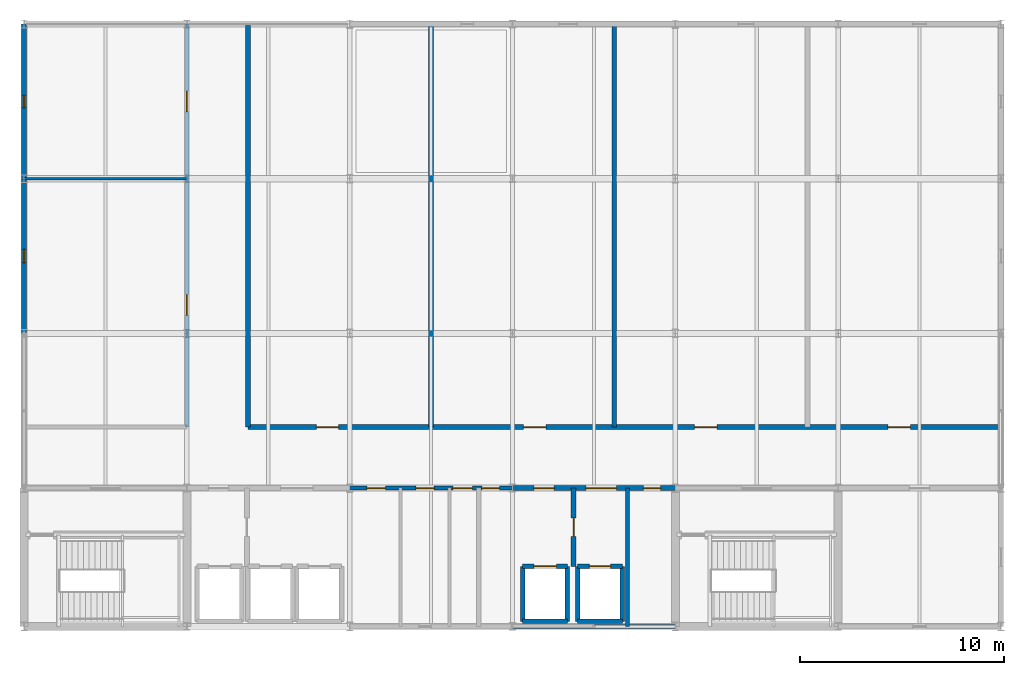
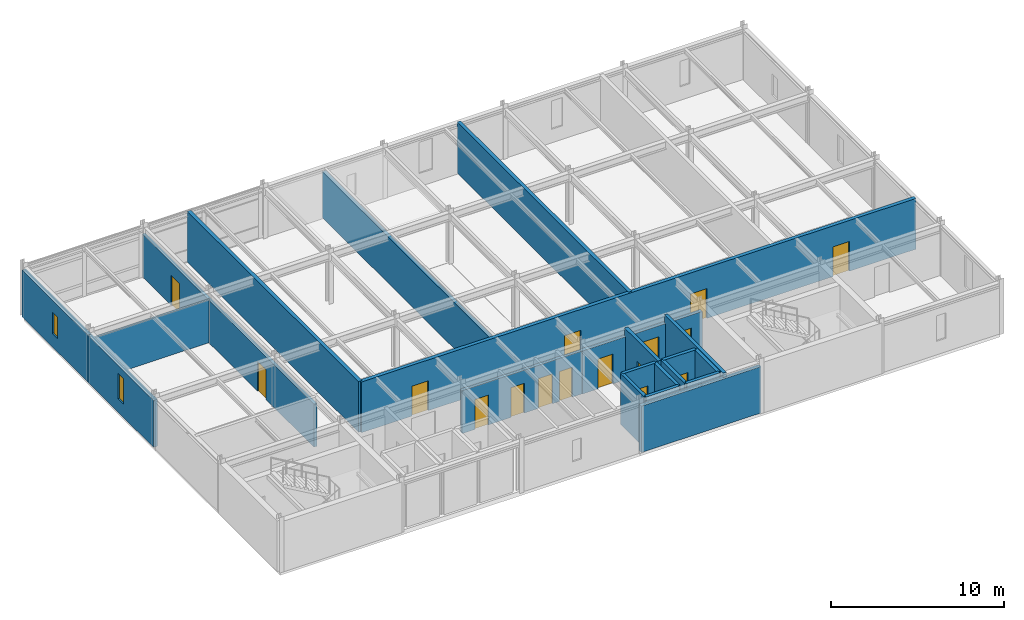
# One storey, part 7 of 9: 21 walls, 16 doors, 2 windows, 18 openings.
"""IFC4 building model written with IfcOpenShell, lengths in metres."""

from ifc_helpers import new_model, si_unit, direction, frame, frame_2d, origin, place, context, subcontext, project, spatial, rectangle, extrude, material, layer, layer_set, type_object, element, fill, save


model = new_model("IFC4")

# Units and contexts
model_context = context("Model", 3, precision=1e-05, world=origin(), true_north=direction((0.0, 1.0)))
body_context = subcontext(model_context, "Body", "Model", "MODEL_VIEW")
ifc_project = project(units=[si_unit("LENGTHUNIT", "METRE"), si_unit("AREAUNIT", "SQUARE_METRE"), si_unit("VOLUMEUNIT", "CUBIC_METRE"), si_unit("PLANEANGLEUNIT", "RADIAN"), si_unit("MASSUNIT", "GRAM", prefix="KILO")], contexts=[model_context])

# Site, building, storey
site_placement = place(None, origin())
site = spatial("IfcSite", under=ifc_project, at=site_placement, CompositionType="ELEMENT")
building_placement = place(site_placement, origin())
building = spatial("IfcBuilding", under=site, at=building_placement, Name="Shalkamar Park Central Library", CompositionType="ELEMENT")
storey_placement = place(building_placement, frame((0.0, 0.0, 60.0)))
storey = spatial("IfcBuildingStorey", under=building, at=storey_placement, Name="L15", CompositionType="ELEMENT", Elevation=60.0)

# Wall
ifc_material_1 = material(Name="Terracotta insulated masonry", Category="masonry")
ifc_layer_1 = layer(ifc_material_1, 0.260009765625)
ifc_layer_set_1 = layer_set([ifc_layer_1], Name="ArchiveInsulatedFacadeWall_260")
wall_type_1 = type_object("IfcWallType", Name="Archive Insulated Facade Wall 260", PredefinedType="SOLIDWALL", material=ifc_layer_set_1)
wall_1_placement = place(storey_placement, frame((189.006103515625, 248.39990234375, 0.0), z_axis=(0.0, 0.0, 1.0), x_axis=(1.0, 0.0, 0.0)))
element("IfcWall", 1, at=wall_1_placement, inside=storey, type_object=wall_type_1, Name="Exterior Facade Wall WL-EXT-L15-259", PredefinedType="SOLIDWALL", context=body_context, shape_type="SweptSolid", body=[
    extrude(rectangle(XDim=7.98779296875, YDim=0.260009765625, at=frame_2d((3.993896484375, 0.0))), origin(), (0.0, 0.0, 1.0), 3.26806640625),
])

# Wall, opening, window
wall_2_placement = place(storey_placement, frame((165.0, 262.805908203125, 0.0), z_axis=(0.0, 0.0, 1.0), x_axis=(0.0, 1.0, 0.0)))
wall_2 = element("IfcWall", 2, at=wall_2_placement, inside=storey, type_object=wall_type_1, Name="Exterior Facade Wall WL-EXT-L15-266", PredefinedType="SOLIDWALL", context=body_context, shape_type="SweptSolid", body=[
    extrude(rectangle(XDim=7.588134765625, YDim=0.260009765625, at=frame_2d((3.7939453125, 0.0))), origin(), (0.0, 0.0, 1.0), 3.30810546875),
])
opening_1_placement = place(wall_2_placement, frame((3.468994140625, 0.0, 0.949951171875)))
opening_1 = element("IfcOpeningElement", 3, at=opening_1_placement, cuts=wall_2, Name="Opening WN-19", PredefinedType="OPENING", context=body_context, shape_type="SweptSolid", body=[
    extrude(rectangle(XDim=0.64990234375, YDim=1.800048828125, at=frame_2d((0.324951171875, 0.89990234375))), frame((0.0, 0.14501953125, 0.0), z_axis=(0.0, -1.0, 0.0), x_axis=(1.0, 0.0, 0.0)), (0.0, 0.0, 1.0), 0.289794921875),
])
ifc_material_2 = material(Name="Thermally broken aluminium and triple low-e glass", Category="glass")
window_type_1 = type_object("IfcWindowType", Name="Archive Slit Window 650x1800", PartitioningType="SINGLE_PANEL", PredefinedType="WINDOW", material=ifc_material_2)
window_1_placement = place(opening_1_placement, origin())
window_1 = element("IfcWindow", 4, at=window_1_placement, inside=storey, type_object=window_type_1, Name="Facade Window WN-L15-195", OverallHeight=1.800048828125, OverallWidth=0.64990234375, PartitioningType="SINGLE_PANEL", PredefinedType="WINDOW", context=body_context, shape_type="SweptSolid", body=[
    extrude(rectangle(XDim=0.64990234375, YDim=1.800048828125, at=frame_2d((0.324951171875, 0.89990234375))), frame((0.0, 0.030029296875, 0.0), z_axis=(0.0, -1.0, 0.0), x_axis=(1.0, 0.0, 0.0)), (0.0, 0.0, 1.0), 0.06005859375),
])
fill(opening_1, window_1)

wall_3_placement = place(storey_placement, frame((165.0, 270.406005859375, 0.0), z_axis=(0.0, 0.0, 1.0), x_axis=(0.0, 1.0, 0.0)))
wall_3 = element("IfcWall", 5, at=wall_3_placement, inside=storey, type_object=wall_type_1, Name="Exterior Facade Wall WL-EXT-L15-267", PredefinedType="SOLIDWALL", context=body_context, shape_type="SweptSolid", body=[
    extrude(rectangle(XDim=7.587890625, YDim=0.260009765625, at=frame_2d((3.7939453125, 0.0))), origin(), (0.0, 0.0, 1.0), 3.30810546875),
])
opening_2_placement = place(wall_3_placement, frame((3.493896484375, 0.0, 0.949951171875)))
opening_2 = element("IfcOpeningElement", 6, at=opening_2_placement, cuts=wall_3, Name="Opening WN-20", PredefinedType="OPENING", context=body_context, shape_type="SweptSolid", body=[
    extrude(rectangle(XDim=0.60009765625, YDim=1.5, at=frame_2d((0.300048828125, 0.75))), frame((0.0, 0.14501953125, 0.0), z_axis=(0.0, -1.0, 0.0), x_axis=(1.0, 0.0, 0.0)), (0.0, 0.0, 1.0), 0.289794921875),
])
window_type_2 = type_object("IfcWindowType", Name="Archive Slit Window 600x1500", PartitioningType="SINGLE_PANEL", PredefinedType="WINDOW", material=ifc_material_2)
window_2_placement = place(opening_2_placement, origin())
window_2 = element("IfcWindow", 7, at=window_2_placement, inside=storey, type_object=window_type_2, Name="Facade Window WN-L15-196", OverallHeight=1.5, OverallWidth=0.60009765625, PartitioningType="SINGLE_PANEL", PredefinedType="WINDOW", context=body_context, shape_type="SweptSolid", body=[
    extrude(rectangle(XDim=0.60009765625, YDim=1.5, at=frame_2d((0.300048828125, 0.75))), frame((0.0, 0.030029296875, 0.0), z_axis=(0.0, -1.0, 0.0), x_axis=(1.0, 0.0, 0.0)), (0.0, 0.0, 1.0), 0.06005859375),
])
fill(opening_2, window_2)

# Wall, opening, door
ifc_material_3 = material(Name="Reinforced fire-compartment masonry wall", Category="masonry")
ifc_layer_2 = layer(ifc_material_3, 0.239990234375)
ifc_layer_set_2 = layer_set([ifc_layer_2], Name="CompartmentWall_240")
wall_type_2 = type_object("IfcWallType", Name="Compartment Wall 240", PredefinedType="PARTITIONING", material=ifc_layer_set_2)
wall_4_placement = place(storey_placement, frame((192.0, 251.35009765625, 0.0), z_axis=(0.0, 0.0, 1.0), x_axis=(0.0, 1.0, 0.0)))
wall_4 = element("IfcWall", 8, at=wall_4_placement, inside=storey, type_object=wall_type_2, Name="Interior Partition WL-INT-L15-002", PredefinedType="PARTITIONING", context=body_context, shape_type="SweptSolid", body=[
    extrude(rectangle(XDim=3.849853515625, YDim=0.239990234375, at=frame_2d((1.9248046875, 0.0))), origin(), (0.0, 0.0, 1.0), 3.580078125),
])
opening_3_placement = place(wall_4_placement, frame((1.47509765625, 0.0, 0.0)))
opening_3 = element("IfcOpeningElement", 9, at=opening_3_placement, cuts=wall_4, Name="Opening DR-L15-002", PredefinedType="OPENING", context=body_context, shape_type="SweptSolid", body=[
    extrude(rectangle(XDim=0.89990234375, YDim=2.10009765625, at=frame_2d((0.449951171875, 1.050048828125))), frame((0.0, 0.134765625, 0.0), z_axis=(0.0, -1.0, 0.0), x_axis=(1.0, 0.0, 0.0)), (0.0, 0.0, 1.0), 0.269775390625),
])
ifc_material_4 = material(Name="Steel S355", Category="steel")
door_type_1 = type_object("IfcDoorType", Name="Fire Door Single 900x2100", OperationType="NOTDEFINED", PredefinedType="DOOR", material=ifc_material_4)
door_1_placement = place(opening_3_placement, origin())
door_1 = element("IfcDoor", 10, at=door_1_placement, inside=storey, type_object=door_type_1, Name="Fire Lobby Interconnect Door", OperationType="SINGLE_SWING_LEFT", OverallHeight=2.10009765625, OverallWidth=0.89990234375, PredefinedType="DOOR", context=body_context, shape_type="SweptSolid", body=[
    extrude(rectangle(XDim=0.89990234375, YDim=2.10009765625, at=frame_2d((0.449951171875, 1.050048828125))), frame((0.0, 0.02490234375, 0.0), z_axis=(0.0, -1.0, 0.0), x_axis=(1.0, 0.0, 0.0)), (0.0, 0.0, 1.0), 0.050048828125),
])
fill(opening_3, door_1)

# Wall, openings, doors
wall_5_placement = place(storey_placement, frame((189.0, 255.199951171875, 0.0), z_axis=(0.0, 0.0, 1.0), x_axis=(1.0, 0.0, 0.0)))
wall_5 = element("IfcWall", 11, at=wall_5_placement, inside=storey, type_object=wall_type_2, Name="Interior Partition WL-INT-L15-009", PredefinedType="PARTITIONING", context=body_context, shape_type="SweptSolid", body=[
    extrude(rectangle(XDim=8.0, YDim=0.239990234375, at=frame_2d((4.0, 0.0))), origin(), (0.0, 0.0, 1.0), 3.028076171875),
])
opening_4_placement = place(wall_5_placement, frame((1.050048828125, 0.0, 0.0)))
opening_4 = element("IfcOpeningElement", 12, at=opening_4_placement, cuts=wall_5, Name="Opening DR-L15-009", PredefinedType="OPENING", context=body_context, shape_type="SweptSolid", body=[
    extrude(rectangle(XDim=1.0, YDim=2.10009765625, at=frame_2d((0.5, 1.050048828125))), frame((0.0, 0.134765625, 0.0), z_axis=(0.0, -1.0, 0.0), x_axis=(1.0, 0.0, 0.0)), (0.0, 0.0, 1.0), 0.269775390625),
])
opening_5_placement = place(wall_5_placement, frame((3.60009765625, 0.0, 0.0)))
opening_5 = element("IfcOpeningElement", 13, at=opening_5_placement, cuts=wall_5, Name="Opening DR-L15-010", PredefinedType="OPENING", context=body_context, shape_type="SweptSolid", body=[
    extrude(rectangle(XDim=1.5, YDim=2.25, at=frame_2d((0.75, 1.125))), frame((0.0, 0.134765625, 0.0), z_axis=(0.0, -1.0, 0.0), x_axis=(1.0, 0.0, 0.0)), (0.0, 0.0, 1.0), 0.269775390625),
])
opening_6_placement = place(wall_5_placement, frame((6.425048828125, 0.0, 0.0)))
opening_6 = element("IfcOpeningElement", 14, at=opening_6_placement, cuts=wall_5, Name="Opening DR-L15-011", PredefinedType="OPENING", context=body_context, shape_type="SweptSolid", body=[
    extrude(rectangle(XDim=0.85009765625, YDim=2.10009765625, at=frame_2d((0.425048828125, 1.050048828125))), frame((0.0, 0.134765625, 0.0), z_axis=(0.0, -1.0, 0.0), x_axis=(1.0, 0.0, 0.0)), (0.0, 0.0, 1.0), 0.269775390625),
])
door_type_2 = type_object("IfcDoorType", Name="Fire Door Riser 850x2100", OperationType="NOTDEFINED", PredefinedType="DOOR", material=ifc_material_4)
door_2_placement = place(opening_6_placement, frame((0.85009765625, 0.0, 0.0), z_axis=(0.0, 0.0, 1.0), x_axis=(-1.0, 0.0, 0.0)))
door_2 = element("IfcDoor", 15, at=door_2_placement, inside=storey, type_object=door_type_2, Name="Mechanical Riser Access Door", OperationType="SINGLE_SWING_LEFT", OverallHeight=2.10009765625, OverallWidth=0.85009765625, PredefinedType="DOOR", context=body_context, shape_type="SweptSolid", body=[
    extrude(rectangle(XDim=0.85009765625, YDim=2.10009765625, at=frame_2d((0.425048828125, 1.050048828125))), frame((0.0, 0.02490234375, 0.0), z_axis=(0.0, -1.0, 0.0), x_axis=(1.0, 0.0, 0.0)), (0.0, 0.0, 1.0), 0.050048828125),
])
fill(opening_6, door_2)
door_type_3 = type_object("IfcDoorType", Name="Fire Door Single 1000x2100", OperationType="NOTDEFINED", PredefinedType="DOOR", material=ifc_material_4)
door_3_placement = place(opening_4_placement, frame((1.0, 0.0, 0.0), z_axis=(0.0, 0.0, 1.0), x_axis=(-1.0, 0.0, 0.0)))
door_3 = element("IfcDoor", 16, at=door_3_placement, inside=storey, type_object=door_type_3, Name="East Firefighting Lobby Door", OperationType="SINGLE_SWING_RIGHT", OverallHeight=2.10009765625, OverallWidth=1.0, PredefinedType="DOOR", context=body_context, shape_type="SweptSolid", body=[
    extrude(rectangle(XDim=1.0, YDim=2.10009765625, at=frame_2d((0.5, 1.050048828125))), frame((0.0, 0.02490234375, 0.0), z_axis=(0.0, -1.0, 0.0), x_axis=(1.0, 0.0, 0.0)), (0.0, 0.0, 1.0), 0.050048828125),
])
fill(opening_4, door_3)
door_type_4 = type_object("IfcDoorType", Name="Interior Door Double 1500x2250", OperationType="DOUBLE_DOOR_SINGLE_SWING", PredefinedType="DOOR", material=ifc_material_4)
door_4_placement = place(opening_5_placement, frame((1.5, 0.0, 0.0), z_axis=(0.0, 0.0, 1.0), x_axis=(-1.0, 0.0, 0.0)))
door_4 = element("IfcDoor", 17, at=door_4_placement, inside=storey, type_object=door_type_4, Name="East Lift Lobby Entrance", OperationType="DOUBLE_DOOR_SINGLE_SWING", OverallHeight=2.25, OverallWidth=1.5, PredefinedType="DOOR", context=body_context, shape_type="SweptSolid", body=[
    extrude(rectangle(XDim=1.5, YDim=2.25, at=frame_2d((0.75, 1.125))), frame((0.0, 0.02490234375, 0.0), z_axis=(0.0, -1.0, 0.0), x_axis=(1.0, 0.0, 0.0)), (0.0, 0.0, 1.0), 0.050048828125),
])
fill(opening_5, door_4)

# Wall
wall_6_placement = place(storey_placement, frame((176.0, 258.199951171875, 0.0), z_axis=(0.0, 0.0, 1.0), x_axis=(0.0, 1.0, 0.0)))
element("IfcWall", 18, at=wall_6_placement, inside=storey, type_object=wall_type_2, Name="Interior Partition WL-INT-L15-014", PredefinedType="PARTITIONING", context=body_context, shape_type="SweptSolid", body=[
    extrude(rectangle(XDim=19.800048828125, YDim=0.239990234375, at=frame_2d((9.89990234375, 0.0))), origin(), (0.0, 0.0, 1.0), 3.580078125),
])

# Wall, openings, doors
wall_7_placement = place(storey_placement, frame((176.0, 258.199951171875, 0.0), z_axis=(0.0, 0.0, 1.0), x_axis=(1.0, 0.0, 0.0)))
wall_7 = element("IfcWall", 19, at=wall_7_placement, inside=storey, type_object=wall_type_2, Name="Interior Partition WL-INT-L15-015", PredefinedType="PARTITIONING", context=body_context, shape_type="SweptSolid", body=[
    extrude(rectangle(XDim=37.0, YDim=0.239990234375, at=frame_2d((18.5, 0.0))), origin(), (0.0, 0.0, 1.0), 3.580078125),
])
opening_7_placement = place(wall_7_placement, frame((3.360107421875, 0.0, 0.0)))
opening_7 = element("IfcOpeningElement", 20, at=opening_7_placement, cuts=wall_7, Name="Opening DR-L15-015", PredefinedType="OPENING", context=body_context, shape_type="SweptSolid", body=[
    extrude(rectangle(XDim=1.10009765625, YDim=2.10009765625, at=frame_2d((0.550048828125, 1.050048828125))), frame((0.0, 0.134765625, 0.0), z_axis=(0.0, -1.0, 0.0), x_axis=(1.0, 0.0, 0.0)), (0.0, 0.0, 1.0), 0.269775390625),
])
opening_8_placement = place(wall_7_placement, frame((13.5400390625, 0.0, 0.0)))
opening_8 = element("IfcOpeningElement", 21, at=opening_8_placement, cuts=wall_7, Name="Opening DR-L15-016", PredefinedType="OPENING", context=body_context, shape_type="SweptSolid", body=[
    extrude(rectangle(XDim=1.10009765625, YDim=2.10009765625, at=frame_2d((0.550048828125, 1.050048828125))), frame((0.0, 0.134765625, 0.0), z_axis=(0.0, -1.0, 0.0), x_axis=(1.0, 0.0, 0.0)), (0.0, 0.0, 1.0), 0.269775390625),
])
opening_9_placement = place(wall_7_placement, frame((21.949951171875, 0.0, 0.0)))
opening_9 = element("IfcOpeningElement", 22, at=opening_9_placement, cuts=wall_7, Name="Opening DR-L15-017", PredefinedType="OPENING", context=body_context, shape_type="SweptSolid", body=[
    extrude(rectangle(XDim=1.10009765625, YDim=2.10009765625, at=frame_2d((0.550048828125, 1.050048828125))), frame((0.0, 0.134765625, 0.0), z_axis=(0.0, -1.0, 0.0), x_axis=(1.0, 0.0, 0.0)), (0.0, 0.0, 1.0), 0.269775390625),
])
opening_10_placement = place(wall_7_placement, frame((31.449951171875, 0.0, 0.0)))
opening_10 = element("IfcOpeningElement", 23, at=opening_10_placement, cuts=wall_7, Name="Opening DR-L15-018", PredefinedType="OPENING", context=body_context, shape_type="SweptSolid", body=[
    extrude(rectangle(XDim=1.10009765625, YDim=2.10009765625, at=frame_2d((0.550048828125, 1.050048828125))), frame((0.0, 0.134765625, 0.0), z_axis=(0.0, -1.0, 0.0), x_axis=(1.0, 0.0, 0.0)), (0.0, 0.0, 1.0), 0.269775390625),
])
door_type_5 = type_object("IfcDoorType", Name="Fire Door Single 1100x2100", OperationType="NOTDEFINED", PredefinedType="DOOR", material=ifc_material_4)
door_5_placement = place(opening_7_placement, origin())
door_5 = element("IfcDoor", 24, at=door_5_placement, inside=storey, type_object=door_type_5, Name="L15 State Archive Vault 1 Door", OperationType="SINGLE_SWING_LEFT", OverallHeight=2.10009765625, OverallWidth=1.10009765625, PredefinedType="DOOR", context=body_context, shape_type="SweptSolid", body=[
    extrude(rectangle(XDim=1.10009765625, YDim=2.10009765625, at=frame_2d((0.550048828125, 1.050048828125))), frame((0.0, 0.02490234375, 0.0), z_axis=(0.0, -1.0, 0.0), x_axis=(1.0, 0.0, 0.0)), (0.0, 0.0, 1.0), 0.050048828125),
])
fill(opening_7, door_5)
door_6_placement = place(opening_8_placement, origin())
door_6 = element("IfcDoor", 25, at=door_6_placement, inside=storey, type_object=door_type_5, Name="L15 State Archive Vault 2 Door", OperationType="SINGLE_SWING_LEFT", OverallHeight=2.10009765625, OverallWidth=1.10009765625, PredefinedType="DOOR", context=body_context, shape_type="SweptSolid", body=[
    extrude(rectangle(XDim=1.10009765625, YDim=2.10009765625, at=frame_2d((0.550048828125, 1.050048828125))), frame((0.0, 0.02490234375, 0.0), z_axis=(0.0, -1.0, 0.0), x_axis=(1.0, 0.0, 0.0)), (0.0, 0.0, 1.0), 0.050048828125),
])
fill(opening_8, door_6)
door_7_placement = place(opening_9_placement, origin())
door_7 = element("IfcDoor", 26, at=door_7_placement, inside=storey, type_object=door_type_5, Name="L15 State Archive Vault 3 Door", OperationType="SINGLE_SWING_RIGHT", OverallHeight=2.10009765625, OverallWidth=1.10009765625, PredefinedType="DOOR", context=body_context, shape_type="SweptSolid", body=[
    extrude(rectangle(XDim=1.10009765625, YDim=2.10009765625, at=frame_2d((0.550048828125, 1.050048828125))), frame((0.0, 0.02490234375, 0.0), z_axis=(0.0, -1.0, 0.0), x_axis=(1.0, 0.0, 0.0)), (0.0, 0.0, 1.0), 0.050048828125),
])
fill(opening_9, door_7)
door_8_placement = place(opening_10_placement, origin())
door_8 = element("IfcDoor", 27, at=door_8_placement, inside=storey, type_object=door_type_5, Name="L15 State Archive Vault 4 Door", OperationType="SINGLE_SWING_RIGHT", OverallHeight=2.10009765625, OverallWidth=1.10009765625, PredefinedType="DOOR", context=body_context, shape_type="SweptSolid", body=[
    extrude(rectangle(XDim=1.10009765625, YDim=2.10009765625, at=frame_2d((0.550048828125, 1.050048828125))), frame((0.0, 0.02490234375, 0.0), z_axis=(0.0, -1.0, 0.0), x_axis=(1.0, 0.0, 0.0)), (0.0, 0.0, 1.0), 0.050048828125),
])
fill(opening_10, door_8)

# Walls
wall_8_placement = place(storey_placement, frame((185.0, 258.199951171875, 0.0), z_axis=(0.0, 0.0, 1.0), x_axis=(0.0, 1.0, 0.0)))
element("IfcWall", 28, at=wall_8_placement, inside=storey, type_object=wall_type_2, Name="Interior Partition WL-INT-L15-016", PredefinedType="PARTITIONING", context=body_context, shape_type="SweptSolid", body=[
    extrude(rectangle(XDim=19.800048828125, YDim=0.239990234375, at=frame_2d((9.89990234375, 0.0))), origin(), (0.0, 0.0, 1.0), 3.248046875),
])
wall_9_placement = place(storey_placement, frame((194.0, 258.199951171875, 0.0), z_axis=(0.0, 0.0, 1.0), x_axis=(0.0, 1.0, 0.0)))
element("IfcWall", 29, at=wall_9_placement, inside=storey, type_object=wall_type_2, Name="Interior Partition WL-INT-L15-017", PredefinedType="PARTITIONING", context=body_context, shape_type="SweptSolid", body=[
    extrude(rectangle(XDim=19.800048828125, YDim=0.239990234375, at=frame_2d((9.89990234375, 0.0))), origin(), (0.0, 0.0, 1.0), 3.580078125),
])

# Wall, openings, doors
ifc_material_5 = material(Name="Fire-rated corridor partition wall", Category="masonry")
ifc_layer_3 = layer(ifc_material_5, 0.199951171875)
ifc_layer_set_3 = layer_set([ifc_layer_3], Name="CorridorFireWall_200")
wall_type_3 = type_object("IfcWallType", Name="Corridor Fire Wall 200", PredefinedType="PARTITIONING", material=ifc_layer_set_3)
wall_10_placement = place(storey_placement, frame((181.0, 255.199951171875, 0.0), z_axis=(0.0, 0.0, 1.0), x_axis=(1.0, 0.0, 0.0)))
wall_10 = element("IfcWall", 30, at=wall_10_placement, inside=storey, type_object=wall_type_3, Name="Interior Partition WL-INT-L15-008", PredefinedType="PARTITIONING", context=body_context, shape_type="SweptSolid", body=[
    extrude(rectangle(XDim=8.0, YDim=0.199951171875, at=frame_2d((4.0, 0.0))), origin(), (0.0, 0.0, 1.0), 3.028076171875),
])
opening_11_placement = place(wall_10_placement, frame((0.85009765625, 0.0, 0.0)))
opening_11 = element("IfcOpeningElement", 31, at=opening_11_placement, cuts=wall_10, Name="Opening DR-L15-005", PredefinedType="OPENING", context=body_context, shape_type="SweptSolid", body=[
    extrude(rectangle(XDim=0.89990234375, YDim=2.10009765625, at=frame_2d((0.449951171875, 1.050048828125))), frame((0.0, 0.11474609375, 0.0), z_axis=(0.0, -1.0, 0.0), x_axis=(1.0, 0.0, 0.0)), (0.0, 0.0, 1.0), 0.229736328125),
])
opening_12_placement = place(wall_10_placement, frame((3.25, 0.0, 0.0)))
opening_12 = element("IfcOpeningElement", 32, at=opening_12_placement, cuts=wall_10, Name="Opening DR-L15-006", PredefinedType="OPENING", context=body_context, shape_type="SweptSolid", body=[
    extrude(rectangle(XDim=0.89990234375, YDim=2.10009765625, at=frame_2d((0.449951171875, 1.050048828125))), frame((0.0, 0.11474609375, 0.0), z_axis=(0.0, -1.0, 0.0), x_axis=(1.0, 0.0, 0.0)), (0.0, 0.0, 1.0), 0.229736328125),
])
opening_13_placement = place(wall_10_placement, frame((5.074951171875, 0.0, 0.0)))
opening_13 = element("IfcOpeningElement", 33, at=opening_13_placement, cuts=wall_10, Name="Opening DR-L15-007", PredefinedType="OPENING", context=body_context, shape_type="SweptSolid", body=[
    extrude(rectangle(XDim=0.949951171875, YDim=2.10009765625, at=frame_2d((0.47509765625, 1.050048828125))), frame((0.0, 0.11474609375, 0.0), z_axis=(0.0, -1.0, 0.0), x_axis=(1.0, 0.0, 0.0)), (0.0, 0.0, 1.0), 0.229736328125),
])
opening_14_placement = place(wall_10_placement, frame((6.5, 0.0, 0.0)))
opening_14 = element("IfcOpeningElement", 34, at=opening_14_placement, cuts=wall_10, Name="Opening DR-L15-008", PredefinedType="OPENING", context=body_context, shape_type="SweptSolid", body=[
    extrude(rectangle(XDim=0.85009765625, YDim=2.10009765625, at=frame_2d((0.425048828125, 1.050048828125))), frame((0.0, 0.11474609375, 0.0), z_axis=(0.0, -1.0, 0.0), x_axis=(1.0, 0.0, 0.0)), (0.0, 0.0, 1.0), 0.229736328125),
])
door_9_placement = place(opening_14_placement, frame((0.85009765625, 0.0, 0.0), z_axis=(0.0, 0.0, 1.0), x_axis=(-1.0, 0.0, 0.0)))
door_9 = element("IfcDoor", 35, at=door_9_placement, inside=storey, type_object=door_type_2, Name="Electrical Riser Access Door", OperationType="SINGLE_SWING_LEFT", OverallHeight=2.10009765625, OverallWidth=0.85009765625, PredefinedType="DOOR", context=body_context, shape_type="SweptSolid", body=[
    extrude(rectangle(XDim=0.85009765625, YDim=2.10009765625, at=frame_2d((0.425048828125, 1.050048828125))), frame((0.0, 0.02490234375, 0.0), z_axis=(0.0, -1.0, 0.0), x_axis=(1.0, 0.0, 0.0)), (0.0, 0.0, 1.0), 0.050048828125),
])
fill(opening_14, door_9)
door_type_6 = type_object("IfcDoorType", Name="Interior Door Single 900x2100", OperationType="NOTDEFINED", PredefinedType="DOOR", material=ifc_material_4)
door_10_placement = place(opening_11_placement, frame((0.89990234375, 0.0, 0.0), z_axis=(0.0, 0.0, 1.0), x_axis=(-1.0, 0.0, 0.0)))
door_10 = element("IfcDoor", 36, at=door_10_placement, inside=storey, type_object=door_type_6, Name="Male WC Door", OperationType="SINGLE_SWING_RIGHT", OverallHeight=2.10009765625, OverallWidth=0.89990234375, PredefinedType="DOOR", context=body_context, shape_type="SweptSolid", body=[
    extrude(rectangle(XDim=0.89990234375, YDim=2.10009765625, at=frame_2d((0.449951171875, 1.050048828125))), frame((0.0, 0.02490234375, 0.0), z_axis=(0.0, -1.0, 0.0), x_axis=(1.0, 0.0, 0.0)), (0.0, 0.0, 1.0), 0.050048828125),
])
fill(opening_11, door_10)
door_11_placement = place(opening_12_placement, frame((0.89990234375, 0.0, 0.0), z_axis=(0.0, 0.0, 1.0), x_axis=(-1.0, 0.0, 0.0)))
door_11 = element("IfcDoor", 37, at=door_11_placement, inside=storey, type_object=door_type_6, Name="Female WC Door", OperationType="SINGLE_SWING_RIGHT", OverallHeight=2.10009765625, OverallWidth=0.89990234375, PredefinedType="DOOR", context=body_context, shape_type="SweptSolid", body=[
    extrude(rectangle(XDim=0.89990234375, YDim=2.10009765625, at=frame_2d((0.449951171875, 1.050048828125))), frame((0.0, 0.02490234375, 0.0), z_axis=(0.0, -1.0, 0.0), x_axis=(1.0, 0.0, 0.0)), (0.0, 0.0, 1.0), 0.050048828125),
])
fill(opening_12, door_11)
door_type_7 = type_object("IfcDoorType", Name="Interior Door Single 950x2100", OperationType="NOTDEFINED", PredefinedType="DOOR", material=ifc_material_4)
door_12_placement = place(opening_13_placement, frame((0.949951171875, 0.0, 0.0), z_axis=(0.0, 0.0, 1.0), x_axis=(-1.0, 0.0, 0.0)))
door_12 = element("IfcDoor", 38, at=door_12_placement, inside=storey, type_object=door_type_7, Name="Universal Accessible WC Door", OperationType="SINGLE_SWING_LEFT", OverallHeight=2.10009765625, OverallWidth=0.949951171875, PredefinedType="DOOR", context=body_context, shape_type="SweptSolid", body=[
    extrude(rectangle(XDim=0.949951171875, YDim=2.10009765625, at=frame_2d((0.47509765625, 1.050048828125))), frame((0.0, 0.02490234375, 0.0), z_axis=(0.0, -1.0, 0.0), x_axis=(1.0, 0.0, 0.0)), (0.0, 0.0, 1.0), 0.050048828125),
])
fill(opening_13, door_12)

wall_11_placement = place(storey_placement, frame((173.0, 258.199951171875, 0.0), z_axis=(0.0, 0.0, 1.0), x_axis=(0.0, 1.0, 0.0)))
wall_11 = element("IfcWall", 39, at=wall_11_placement, inside=storey, type_object=wall_type_3, Name="Interior Partition WL-INT-L15-012", PredefinedType="PARTITIONING", context=body_context, shape_type="SweptSolid", body=[
    extrude(rectangle(XDim=19.800048828125, YDim=0.199951171875, at=frame_2d((9.89990234375, 0.0))), origin(), (0.0, 0.0, 1.0), 3.028076171875),
])
opening_15_placement = place(wall_11_placement, frame((5.5, 0.0, 0.0)))
opening_15 = element("IfcOpeningElement", 40, at=opening_15_placement, cuts=wall_11, Name="Opening DR-L15-013", PredefinedType="OPENING", context=body_context, shape_type="SweptSolid", body=[
    extrude(rectangle(XDim=1.0, YDim=2.10009765625, at=frame_2d((0.5, 1.050048828125))), frame((0.0, 0.11474609375, 0.0), z_axis=(0.0, -1.0, 0.0), x_axis=(1.0, 0.0, 0.0)), (0.0, 0.0, 1.0), 0.229736328125),
])
opening_16_placement = place(wall_11_placement, frame((15.5, 0.0, 0.0)))
opening_16 = element("IfcOpeningElement", 41, at=opening_16_placement, cuts=wall_11, Name="Opening DR-L15-014", PredefinedType="OPENING", context=body_context, shape_type="SweptSolid", body=[
    extrude(rectangle(XDim=1.0, YDim=2.10009765625, at=frame_2d((0.5, 1.050048828125))), frame((0.0, 0.11474609375, 0.0), z_axis=(0.0, -1.0, 0.0), x_axis=(1.0, 0.0, 0.0)), (0.0, 0.0, 1.0), 0.229736328125),
])
door_type_8 = type_object("IfcDoorType", Name="Interior Door Single 1000x2100", OperationType="NOTDEFINED", PredefinedType="DOOR", material=ifc_material_4)
door_13_placement = place(opening_15_placement, origin())
door_13 = element("IfcDoor", 42, at=door_13_placement, inside=storey, type_object=door_type_8, Name="L15 Archival Digitization Lab Door", OperationType="SINGLE_SWING_LEFT", OverallHeight=2.10009765625, OverallWidth=1.0, PredefinedType="DOOR", context=body_context, shape_type="SweptSolid", body=[
    extrude(rectangle(XDim=1.0, YDim=2.10009765625, at=frame_2d((0.5, 1.050048828125))), frame((0.0, 0.02490234375, 0.0), z_axis=(0.0, -1.0, 0.0), x_axis=(1.0, 0.0, 0.0)), (0.0, 0.0, 1.0), 0.050048828125),
])
fill(opening_15, door_13)
door_14_placement = place(opening_16_placement, origin())
door_14 = element("IfcDoor", 43, at=door_14_placement, inside=storey, type_object=door_type_8, Name="L15 Paleography Reading Room Door", OperationType="SINGLE_SWING_RIGHT", OverallHeight=2.10009765625, OverallWidth=1.0, PredefinedType="DOOR", context=body_context, shape_type="SweptSolid", body=[
    extrude(rectangle(XDim=1.0, YDim=2.10009765625, at=frame_2d((0.5, 1.050048828125))), frame((0.0, 0.02490234375, 0.0), z_axis=(0.0, -1.0, 0.0), x_axis=(1.0, 0.0, 0.0)), (0.0, 0.0, 1.0), 0.050048828125),
])
fill(opening_16, door_14)

# Walls
ifc_material_6 = material(Name="Concrete C40/50", Category="concrete")
ifc_layer_4 = layer(ifc_material_6, 0.219970703125)
ifc_layer_set_4 = layer_set([ifc_layer_4], Name="Concrete C40/50")
wall_type_4 = type_object("IfcWallType", Name="Lift Hoistway Shear Wall 220", PredefinedType="SHEAR", material=ifc_layer_set_4)
wall_12_placement = place(storey_placement, frame((189.5, 248.64990234375, 0.0), z_axis=(0.0, 0.0, 1.0), x_axis=(1.0, 0.0, 0.0)))
element("IfcWall", 44, at=wall_12_placement, inside=storey, type_object=wall_type_4, Name="Lift FFL-02 Hoistway South Wall (L15)", PredefinedType="SHEAR", context=body_context, shape_type="SweptSolid", body=[
    extrude(rectangle(XDim=2.199951171875, YDim=0.219970703125, at=frame_2d((1.10009765625, 0.0))), origin(), (0.0, 0.0, 1.0), 3.580078125),
])
for number, where, z_axis, x_axis, name in (
    (45, (189.5, 248.64990234375, 0.0), (0.0, 0.0, 1.0), (0.0, 1.0, 0.0), "Lift FFL-02 Hoistway West Wall (L15)"),
    (46, (191.699951171875, 248.64990234375, 0.0), (0.0, 0.0, 1.0), (0.0, 1.0, 0.0), "Lift FFL-02 Hoistway East Wall (L15)"),
):
    element("IfcWall", number, at=place(storey_placement, frame(where, z_axis=z_axis, x_axis=x_axis)), inside=storey, type_object=wall_type_4, Name=name, PredefinedType="SHEAR", context=body_context, shape_type="SweptSolid", body=[
        extrude(rectangle(XDim=2.7001953125, YDim=0.219970703125, at=frame_2d((1.35009765625, 0.0))), origin(), (0.0, 0.0, 1.0), 3.580078125),
    ])

# Wall, opening, door
wall_13_placement = place(storey_placement, frame((189.5, 251.35009765625, 0.0), z_axis=(0.0, 0.0, 1.0), x_axis=(1.0, 0.0, 0.0)))
wall_13 = element("IfcWall", 47, at=wall_13_placement, inside=storey, type_object=wall_type_4, Name="Lift FFL-02 Hoistway Front Wall (L15)", PredefinedType="SHEAR", context=body_context, shape_type="SweptSolid", body=[
    extrude(rectangle(XDim=2.199951171875, YDim=0.219970703125, at=frame_2d((1.10009765625, 0.0))), origin(), (0.0, 0.0, 1.0), 3.580078125),
])
opening_17_placement = place(wall_13_placement, frame((0.550048828125, 0.0, 0.0)))
opening_17 = element("IfcOpeningElement", 48, at=opening_17_placement, cuts=wall_13, Name="Opening LD-FFL-02-L15", PredefinedType="OPENING", context=body_context, shape_type="SweptSolid", body=[
    extrude(rectangle(XDim=1.10009765625, YDim=2.14990234375, at=frame_2d((0.550048828125, 1.074951171875))), frame((0.0, 0.125, 0.0), z_axis=(0.0, -1.0, 0.0), x_axis=(1.0, 0.0, 0.0)), (0.0, 0.0, 1.0), 0.249755859375),
])
door_type_9 = type_object("IfcDoorType", Name="Fire Lift Landing Door 1100x2150", OperationType="DOUBLE_DOOR_SLIDING", PredefinedType="USERDEFINED", material=ifc_material_4)
door_15_placement = place(opening_17_placement, origin())
door_15 = element("IfcDoor", 49, at=door_15_placement, inside=storey, type_object=door_type_9, Name="Lift FFL-02 Sliding Landing Door (L15)", ObjectType="SLIDING LANDING DOOR", OperationType="DOUBLE_DOOR_SLIDING", OverallHeight=2.14990234375, OverallWidth=1.10009765625, PredefinedType="USERDEFINED", context=body_context, shape_type="SweptSolid", body=[
    extrude(rectangle(XDim=1.10009765625, YDim=2.14990234375, at=frame_2d((0.550048828125, 1.074951171875))), frame((0.0, 0.02490234375, 0.0), z_axis=(0.0, -1.0, 0.0), x_axis=(1.0, 0.0, 0.0)), (0.0, 0.0, 1.0), 0.050048828125),
])
fill(opening_17, door_15)

# Walls
wall_14_placement = place(storey_placement, frame((192.199951171875, 248.64990234375, 0.0), z_axis=(0.0, 0.0, 1.0), x_axis=(1.0, 0.0, 0.0)))
element("IfcWall", 50, at=wall_14_placement, inside=storey, type_object=wall_type_4, Name="Lift LT-03 Hoistway South Wall (L15)", PredefinedType="SHEAR", context=body_context, shape_type="SweptSolid", body=[
    extrude(rectangle(XDim=2.199951171875, YDim=0.219970703125, at=frame_2d((1.10009765625, 0.0))), origin(), (0.0, 0.0, 1.0), 3.580078125),
])
for number, where, z_axis, x_axis, name in (
    (51, (192.199951171875, 248.64990234375, 0.0), (0.0, 0.0, 1.0), (0.0, 1.0, 0.0), "Lift LT-03 Hoistway West Wall (L15)"),
    (52, (194.39990234375, 248.64990234375, 0.0), (0.0, 0.0, 1.0), (0.0, 1.0, 0.0), "Lift LT-03 Hoistway East Wall (L15)"),
):
    element("IfcWall", number, at=place(storey_placement, frame(where, z_axis=z_axis, x_axis=x_axis)), inside=storey, type_object=wall_type_4, Name=name, PredefinedType="SHEAR", context=body_context, shape_type="SweptSolid", body=[
        extrude(rectangle(XDim=2.7001953125, YDim=0.219970703125, at=frame_2d((1.35009765625, 0.0))), origin(), (0.0, 0.0, 1.0), 3.580078125),
    ])

# Wall, opening, door
wall_15_placement = place(storey_placement, frame((192.199951171875, 251.35009765625, 0.0), z_axis=(0.0, 0.0, 1.0), x_axis=(1.0, 0.0, 0.0)))
wall_15 = element("IfcWall", 53, at=wall_15_placement, inside=storey, type_object=wall_type_4, Name="Lift LT-03 Hoistway Front Wall (L15)", PredefinedType="SHEAR", context=body_context, shape_type="SweptSolid", body=[
    extrude(rectangle(XDim=2.199951171875, YDim=0.219970703125, at=frame_2d((1.10009765625, 0.0))), origin(), (0.0, 0.0, 1.0), 3.580078125),
])
opening_18_placement = place(wall_15_placement, frame((0.574951171875, 0.0, 0.0)))
opening_18 = element("IfcOpeningElement", 54, at=opening_18_placement, cuts=wall_15, Name="Opening LD-LT-03-L15", PredefinedType="OPENING", context=body_context, shape_type="SweptSolid", body=[
    extrude(rectangle(XDim=1.050048828125, YDim=2.14990234375, at=frame_2d((0.52490234375, 1.074951171875))), frame((0.0, 0.125, 0.0), z_axis=(0.0, -1.0, 0.0), x_axis=(1.0, 0.0, 0.0)), (0.0, 0.0, 1.0), 0.249755859375),
])
door_type_10 = type_object("IfcDoorType", Name="Passenger Lift Landing Door 1050x2150", OperationType="DOUBLE_DOOR_SLIDING", PredefinedType="USERDEFINED", material=ifc_material_4)
door_16_placement = place(opening_18_placement, origin())
door_16 = element("IfcDoor", 55, at=door_16_placement, inside=storey, type_object=door_type_10, Name="Lift LT-03 Sliding Landing Door (L15)", ObjectType="SLIDING LANDING DOOR", OperationType="DOUBLE_DOOR_SLIDING", OverallHeight=2.14990234375, OverallWidth=1.050048828125, PredefinedType="USERDEFINED", context=body_context, shape_type="SweptSolid", body=[
    extrude(rectangle(XDim=1.050048828125, YDim=2.14990234375, at=frame_2d((0.52490234375, 1.074951171875))), frame((0.0, 0.02490234375, 0.0), z_axis=(0.0, -1.0, 0.0), x_axis=(1.0, 0.0, 0.0)), (0.0, 0.0, 1.0), 0.050048828125),
])
fill(opening_18, door_16)

# Walls
ifc_material_7 = material(Name="Fire-rated shaft enclosure wall", Category="masonry")
ifc_layer_5 = layer(ifc_material_7, 0.219970703125)
ifc_layer_set_5 = layer_set([ifc_layer_5], Name="ShaftWall_220")
wall_type_5 = type_object("IfcWallType", Name="Shaft Wall 220", PredefinedType="PARTITIONING", material=ifc_layer_set_5)
wall_16_placement = place(storey_placement, frame((194.64990234375, 248.39990234375, 0.0), z_axis=(0.0, 0.0, 1.0), x_axis=(0.0, 1.0, 0.0)))
element("IfcWall", 56, at=wall_16_placement, inside=storey, type_object=wall_type_5, Name="Interior Partition WL-INT-L15-003", PredefinedType="PARTITIONING", context=body_context, shape_type="SweptSolid", body=[
    extrude(rectangle(XDim=6.800048828125, YDim=0.219970703125, at=frame_2d((3.39990234375, 0.0))), origin(), (0.0, 0.0, 1.0), 3.580078125),
])
ifc_material_8 = material(Name="Lightweight acoustic stud partition", Category="masonry")
ifc_layer_6 = layer(ifc_material_8, 0.1201171875)
ifc_layer_set_6 = layer_set([ifc_layer_6], Name="StandardPartition_120")
wall_type_6 = type_object("IfcWallType", Name="Standard Partition 120", PredefinedType="PARTITIONING", material=ifc_layer_set_6)
wall_17_placement = place(storey_placement, frame((165.0, 270.39990234375, 0.0), z_axis=(0.0, 0.0, 1.0), x_axis=(1.0, 0.0, 0.0)))
element("IfcWall", 57, at=wall_17_placement, inside=storey, type_object=wall_type_6, Name="Interior Partition WL-INT-L15-013", PredefinedType="PARTITIONING", context=body_context, shape_type="SweptSolid", body=[
    extrude(rectangle(XDim=8.0, YDim=0.1201171875, at=frame_2d((4.0, 0.0))), origin(), (0.0, 0.0, 1.0), 3.028076171875),
])

save(model, "model.ifc")
